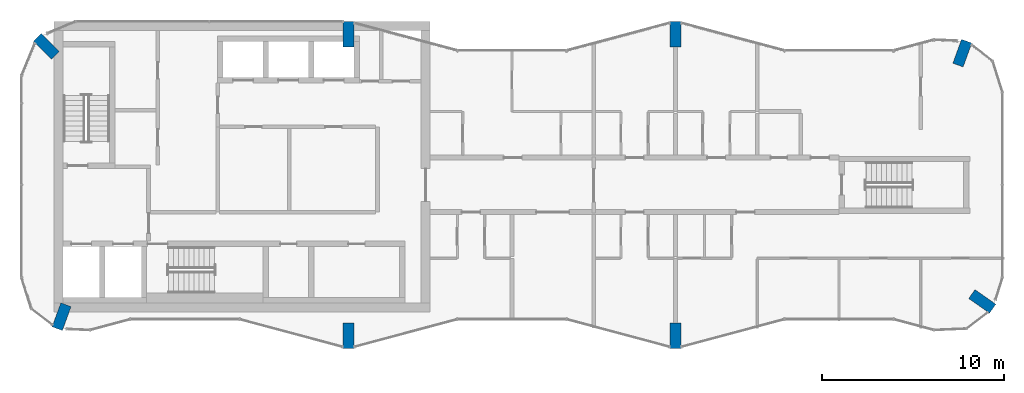
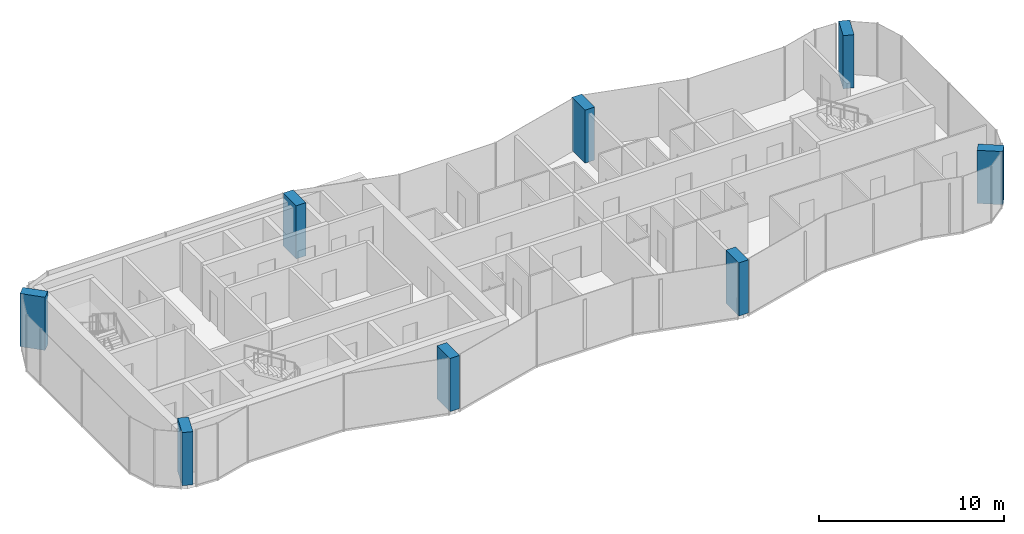
# One storey, part 1 of 9: 8 columns.
"""IFC4 building model written with IfcOpenShell, lengths in metres."""

from ifc_helpers import new_model, si_unit, direction, frame, origin, origin_2d, place, context, subcontext, project, spatial, rectangle, extrude, material, material_profile, profile_set, type_object, element, save


model = new_model("IFC4")

# Units and contexts
model_context = context("Model", 3, precision=1e-05, world=origin(), true_north=direction((0.0, 1.0)))
body_context = subcontext(model_context, "Body", "Model", "MODEL_VIEW")
ifc_project = project(units=[si_unit("LENGTHUNIT", "METRE"), si_unit("AREAUNIT", "SQUARE_METRE"), si_unit("VOLUMEUNIT", "CUBIC_METRE"), si_unit("PLANEANGLEUNIT", "RADIAN"), si_unit("MASSUNIT", "GRAM", prefix="KILO")], contexts=[model_context])

# Site, building, storey
site_placement = place(None, origin())
site = spatial("IfcSite", under=ifc_project, at=site_placement, CompositionType="ELEMENT")
building_placement = place(site_placement, origin())
building = spatial("IfcBuilding", under=site, at=building_placement, Name="Plateau Cross Towers", CompositionType="ELEMENT")
storey_placement = place(building_placement, frame((0.0, 0.0, 232.89990234375)))
storey = spatial("IfcBuildingStorey", under=building, at=storey_placement, Name="L61", CompositionType="ELEMENT", Elevation=232.89990234375)

# Columns
ifc_material = material(Name="Concrete C60/75", Category="concrete")
ifc_material_profile = material_profile(ifc_material, rectangle(XDim=0.60009765625, YDim=1.39990234375, at=origin_2d()), Name="RC 600x1400")
ifc_profile_set = profile_set([ifc_material_profile], Name="Concrete C60/75")
column_type = type_object("IfcColumnType", Name="Fin pier column RC 600x1400", PredefinedType="COLUMN", material=ifc_profile_set)
for number, where, z_axis, x_axis, name in (
    (1, (18.0, 0.699951171875, 0.0), (0.0, 0.0, 1.0), (1.0, 0.0, 0.0), "PR1 L61"),
    (2, (36.0, 0.699951171875, 0.0), (0.0, 0.0, 1.0), (1.0, 0.0, 0.0), "PR2 L61"),
    (3, (52.884033203125, 2.590087890625, 0.0), (0.0, 0.0, 1.0), (0.573542637991, 0.819175709117, 0.0), "PR3 L61"),
    (4, (51.786865234375, 16.251953125, 0.0), (0.0, 0.0, 1.0), (-0.939664280925, 0.342097996418, 0.0), "PR4 L61"),
    (5, (36.0, 17.300048828125, 0.0), (0.0, 0.0, 1.0), (1.0, 0.0, 0.0), "PR5 L61"),
    (6, (18.0, 17.300048828125, 0.0), (0.0, 0.0, 1.0), (1.0, 0.0, 0.0), "PR13 L61"),
    (7, (1.37353515625, 16.62646484375, 0.0), (0.0, 0.0, 1.0), (0.707106781187, 0.707106781187, 0.0), "PR14 L61"),
    (8, (2.213134765625, 1.748046875, 0.0), (0.0, 0.0, 1.0), (-0.939664280925, 0.342097996418, 0.0), "PR12 L61"),
):
    element("IfcColumn", number, at=place(storey_placement, frame(where, z_axis=z_axis, x_axis=x_axis)), inside=storey, type_object=column_type, Name=name, PredefinedType="COLUMN", context=body_context, shape_type="SweptSolid", body=[
        extrude(rectangle(XDim=0.60009765625, YDim=1.39990234375, at=origin_2d()), origin(), (0.0, 0.0, 1.0), 3.5),
    ])

save(model, "model.ifc")
